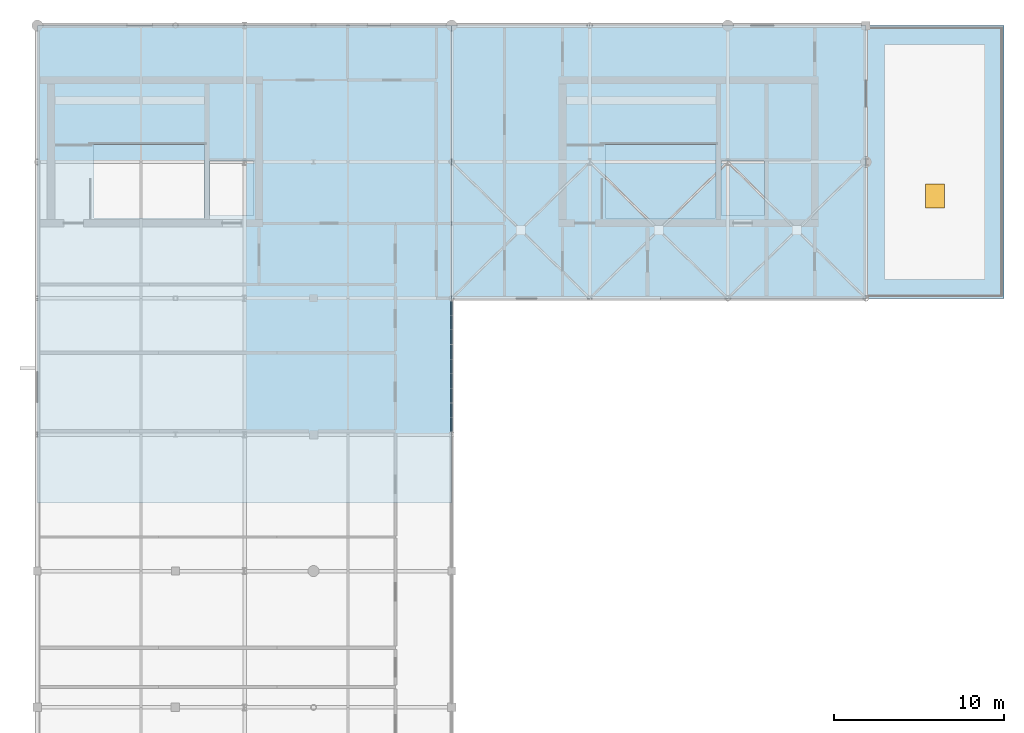
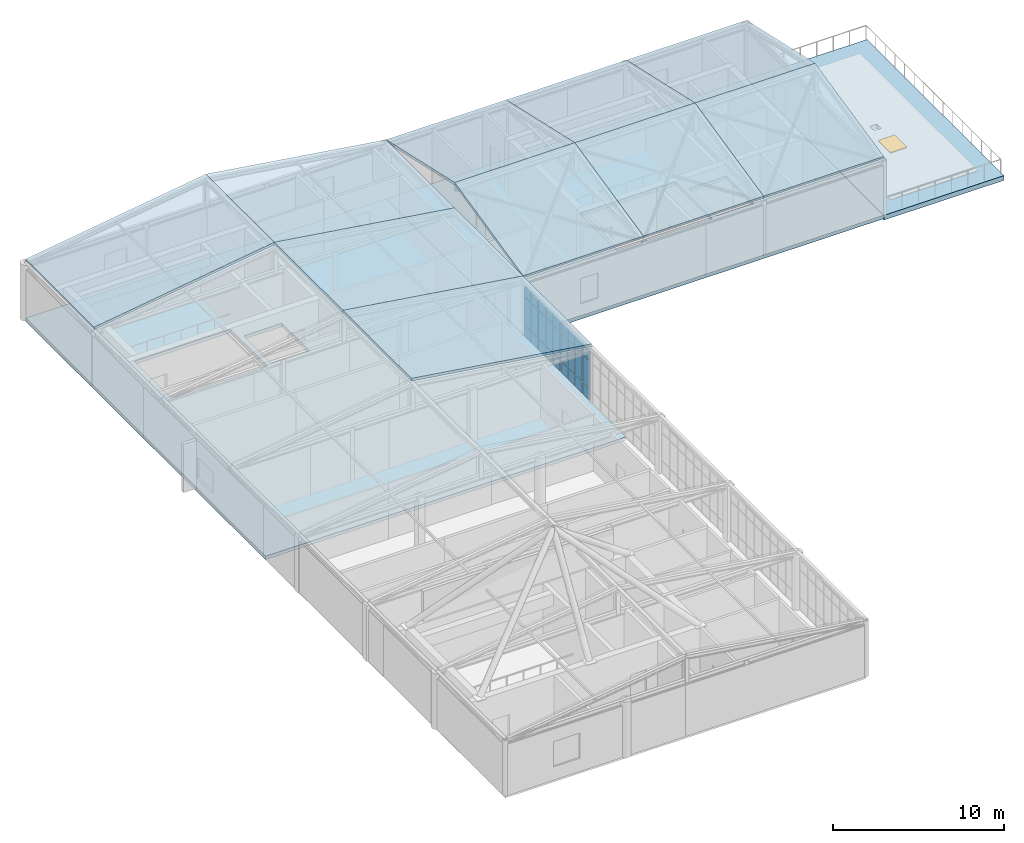
# One storey, part 13 of 21: 27 plates, 13 slabs, 1 door, 1 opening, 1 element without a shape of its own.
"""IFC4 building model written with IfcOpenShell, lengths in metres."""

from ifc_helpers import new_model, si_unit, direction, frame, origin, origin_2d, place, context, subcontext, project, spatial, polyline, rectangle, outline, extrude, material, layer, layer_set, type_object, element, fill, aggregate, save


model = new_model("IFC4")

# Units and contexts
model_context = context("Model", 3, precision=1e-05, world=origin(), true_north=direction((0.0, 1.0)))
body_context = subcontext(model_context, "Body", "Model", "MODEL_VIEW")
ifc_project = project(units=[si_unit("LENGTHUNIT", "METRE"), si_unit("AREAUNIT", "SQUARE_METRE"), si_unit("VOLUMEUNIT", "CUBIC_METRE"), si_unit("PLANEANGLEUNIT", "RADIAN"), si_unit("MASSUNIT", "GRAM", prefix="KILO")], contexts=[model_context])

# Site, building, storey
site_placement = place(None, origin())
site = spatial("IfcSite", under=ifc_project, at=site_placement, CompositionType="ELEMENT")
building_placement = place(site_placement, origin())
building = spatial("IfcBuilding", under=site, at=building_placement, Name="Tarnveldt Square Police Headquarters", CompositionType="ELEMENT")
storey_placement = place(building_placement, frame((0.0, 0.0, 33.300048828125)))
storey = spatial("IfcBuildingStorey", under=building, at=storey_placement, Name="L07", CompositionType="ELEMENT", Elevation=33.300048828125)

# Curtain wall, plates
ifc_material_1 = material(Name="Triple-glazed low-e laminated vision glass", Category="glass")
curtain_wall_type = type_object("IfcCurtainWallType", Name="CW-UP-771x366", PredefinedType="USERDEFINED", material=ifc_material_1)
curtain_wall_placement = place(storey_placement, origin())
curtain_wall = element("IfcCurtainWall", 1, at=curtain_wall_placement, inside=storey, type_object=curtain_wall_type, Name="L07 Curtain Wall CW-L07-098", ObjectType="GLAZED CURTAIN WALL", PredefinedType="USERDEFINED")
ifc_material_2 = material(Name="Insulated anodised aluminium spandrel panel", Category="aluminium")
ifc_layer_1 = layer(ifc_material_2, 0.090087890625)
ifc_layer_set_1 = layer_set([ifc_layer_1], Name="Insulated anodised aluminium spandrel panel")
plate_type = type_object("IfcPlateType", Name="CWP-SPN-90", PredefinedType="CURTAIN_PANEL", material=ifc_layer_set_1)
plate_1_placement = place(storey_placement, frame((40.5, 88.58984375, 0.06494140625), z_axis=(0.0, 0.0, 1.0), x_axis=(0.0, 1.0, 0.0)))
plate_1 = element("IfcPlate", 2, at=plate_1_placement, type_object=plate_type, Name="CW-UP55 panel 1.1", PredefinedType="CURTAIN_PANEL", context=body_context, shape_type="SweptSolid", body=[
    extrude(rectangle(XDim=0.759521484375, YDim=0.090087890625, at=origin_2d()), origin(), (0.0, 0.0, 1.0), 0.802490234375),
])
plate_2_placement = place(storey_placement, frame((40.5, 88.58984375, 0.932373046875), z_axis=(0.0, 0.0, 1.0), x_axis=(0.0, 1.0, 0.0)))
plate_2 = element("IfcPlate", 3, at=plate_2_placement, type_object=plate_type, Name="CW-UP55 panel 1.2", PredefinedType="CURTAIN_PANEL", context=body_context, shape_type="SweptSolid", body=[
    extrude(rectangle(XDim=0.759521484375, YDim=0.090087890625, at=origin_2d()), origin(), (0.0, 0.0, 1.0), 1.93994140625),
])
plate_3_placement = place(storey_placement, frame((40.5, 88.58984375, 2.9375), z_axis=(0.0, 0.0, 1.0), x_axis=(0.0, 1.0, 0.0)))
plate_3 = element("IfcPlate", 4, at=plate_3_placement, type_object=plate_type, Name="CW-UP55 panel 1.3", PredefinedType="CURTAIN_PANEL", context=body_context, shape_type="SweptSolid", body=[
    extrude(rectangle(XDim=0.759521484375, YDim=0.090087890625, at=origin_2d()), origin(), (0.0, 0.0, 1.0), 0.652587890625),
])
plate_4_placement = place(storey_placement, frame((40.5, 89.430419921875, 0.06494140625), z_axis=(0.0, 0.0, 1.0), x_axis=(0.0, 1.0, 0.0)))
plate_4 = element("IfcPlate", 5, at=plate_4_placement, type_object=plate_type, Name="CW-UP55 panel 2.1", PredefinedType="CURTAIN_PANEL", context=body_context, shape_type="SweptSolid", body=[
    extrude(rectangle(XDim=0.7919921875, YDim=0.090087890625, at=origin_2d()), origin(), (0.0, 0.0, 1.0), 0.802490234375),
])
plate_5_placement = place(storey_placement, frame((40.5, 89.430419921875, 0.932373046875), z_axis=(0.0, 0.0, 1.0), x_axis=(0.0, 1.0, 0.0)))
plate_5 = element("IfcPlate", 6, at=plate_5_placement, type_object=plate_type, Name="CW-UP55 panel 2.2", PredefinedType="CURTAIN_PANEL", context=body_context, shape_type="SweptSolid", body=[
    extrude(rectangle(XDim=0.7919921875, YDim=0.090087890625, at=origin_2d()), origin(), (0.0, 0.0, 1.0), 1.93994140625),
])
plate_6_placement = place(storey_placement, frame((40.5, 89.430419921875, 2.9375), z_axis=(0.0, 0.0, 1.0), x_axis=(0.0, 1.0, 0.0)))
plate_6 = element("IfcPlate", 7, at=plate_6_placement, type_object=plate_type, Name="CW-UP55 panel 2.3", PredefinedType="CURTAIN_PANEL", context=body_context, shape_type="SweptSolid", body=[
    extrude(rectangle(XDim=0.7919921875, YDim=0.090087890625, at=origin_2d()), origin(), (0.0, 0.0, 1.0), 0.652587890625),
])
plate_7_placement = place(storey_placement, frame((40.5, 90.28759765625, 0.06494140625), z_axis=(0.0, 0.0, 1.0), x_axis=(0.0, 1.0, 0.0)))
plate_7 = element("IfcPlate", 8, at=plate_7_placement, type_object=plate_type, Name="CW-UP55 panel 3.1", PredefinedType="CURTAIN_PANEL", context=body_context, shape_type="SweptSolid", body=[
    extrude(rectangle(XDim=0.7919921875, YDim=0.090087890625, at=origin_2d()), origin(), (0.0, 0.0, 1.0), 0.802490234375),
])
plate_8_placement = place(storey_placement, frame((40.5, 90.28759765625, 0.932373046875), z_axis=(0.0, 0.0, 1.0), x_axis=(0.0, 1.0, 0.0)))
plate_8 = element("IfcPlate", 9, at=plate_8_placement, type_object=plate_type, Name="CW-UP55 panel 3.2", PredefinedType="CURTAIN_PANEL", context=body_context, shape_type="SweptSolid", body=[
    extrude(rectangle(XDim=0.7919921875, YDim=0.090087890625, at=origin_2d()), origin(), (0.0, 0.0, 1.0), 1.93994140625),
])
plate_9_placement = place(storey_placement, frame((40.5, 90.28759765625, 2.9375), z_axis=(0.0, 0.0, 1.0), x_axis=(0.0, 1.0, 0.0)))
plate_9 = element("IfcPlate", 10, at=plate_9_placement, type_object=plate_type, Name="CW-UP55 panel 3.3", PredefinedType="CURTAIN_PANEL", context=body_context, shape_type="SweptSolid", body=[
    extrude(rectangle(XDim=0.7919921875, YDim=0.090087890625, at=origin_2d()), origin(), (0.0, 0.0, 1.0), 0.652587890625),
])
plate_10_placement = place(storey_placement, frame((40.5, 91.14453125, 0.06494140625), z_axis=(0.0, 0.0, 1.0), x_axis=(0.0, 1.0, 0.0)))
plate_10 = element("IfcPlate", 11, at=plate_10_placement, type_object=plate_type, Name="CW-UP55 panel 4.1", PredefinedType="CURTAIN_PANEL", context=body_context, shape_type="SweptSolid", body=[
    extrude(rectangle(XDim=0.7919921875, YDim=0.090087890625, at=origin_2d()), origin(), (0.0, 0.0, 1.0), 0.802490234375),
])
plate_11_placement = place(storey_placement, frame((40.5, 91.14453125, 0.932373046875), z_axis=(0.0, 0.0, 1.0), x_axis=(0.0, 1.0, 0.0)))
plate_11 = element("IfcPlate", 12, at=plate_11_placement, type_object=plate_type, Name="CW-UP55 panel 4.2", PredefinedType="CURTAIN_PANEL", context=body_context, shape_type="SweptSolid", body=[
    extrude(rectangle(XDim=0.7919921875, YDim=0.090087890625, at=origin_2d()), origin(), (0.0, 0.0, 1.0), 1.93994140625),
])
plate_12_placement = place(storey_placement, frame((40.5, 91.14453125, 2.9375), z_axis=(0.0, 0.0, 1.0), x_axis=(0.0, 1.0, 0.0)))
plate_12 = element("IfcPlate", 13, at=plate_12_placement, type_object=plate_type, Name="CW-UP55 panel 4.3", PredefinedType="CURTAIN_PANEL", context=body_context, shape_type="SweptSolid", body=[
    extrude(rectangle(XDim=0.7919921875, YDim=0.090087890625, at=origin_2d()), origin(), (0.0, 0.0, 1.0), 0.652587890625),
])
plate_13_placement = place(storey_placement, frame((40.5, 92.00146484375, 0.06494140625), z_axis=(0.0, 0.0, 1.0), x_axis=(0.0, 1.0, 0.0)))
plate_13 = element("IfcPlate", 14, at=plate_13_placement, type_object=plate_type, Name="CW-UP55 panel 5.1", PredefinedType="CURTAIN_PANEL", context=body_context, shape_type="SweptSolid", body=[
    extrude(rectangle(XDim=0.7919921875, YDim=0.090087890625, at=origin_2d()), origin(), (0.0, 0.0, 1.0), 0.802490234375),
])
plate_14_placement = place(storey_placement, frame((40.5, 92.00146484375, 0.932373046875), z_axis=(0.0, 0.0, 1.0), x_axis=(0.0, 1.0, 0.0)))
plate_14 = element("IfcPlate", 15, at=plate_14_placement, type_object=plate_type, Name="CW-UP55 panel 5.2", PredefinedType="CURTAIN_PANEL", context=body_context, shape_type="SweptSolid", body=[
    extrude(rectangle(XDim=0.7919921875, YDim=0.090087890625, at=origin_2d()), origin(), (0.0, 0.0, 1.0), 1.93994140625),
])
plate_15_placement = place(storey_placement, frame((40.5, 92.00146484375, 2.9375), z_axis=(0.0, 0.0, 1.0), x_axis=(0.0, 1.0, 0.0)))
plate_15 = element("IfcPlate", 16, at=plate_15_placement, type_object=plate_type, Name="CW-UP55 panel 5.3", PredefinedType="CURTAIN_PANEL", context=body_context, shape_type="SweptSolid", body=[
    extrude(rectangle(XDim=0.7919921875, YDim=0.090087890625, at=origin_2d()), origin(), (0.0, 0.0, 1.0), 0.652587890625),
])
plate_16_placement = place(storey_placement, frame((40.5, 92.8583984375, 0.06494140625), z_axis=(0.0, 0.0, 1.0), x_axis=(0.0, 1.0, 0.0)))
plate_16 = element("IfcPlate", 17, at=plate_16_placement, type_object=plate_type, Name="CW-UP55 panel 6.1", PredefinedType="CURTAIN_PANEL", context=body_context, shape_type="SweptSolid", body=[
    extrude(rectangle(XDim=0.7919921875, YDim=0.090087890625, at=origin_2d()), origin(), (0.0, 0.0, 1.0), 0.802490234375),
])
plate_17_placement = place(storey_placement, frame((40.5, 92.8583984375, 0.932373046875), z_axis=(0.0, 0.0, 1.0), x_axis=(0.0, 1.0, 0.0)))
plate_17 = element("IfcPlate", 18, at=plate_17_placement, type_object=plate_type, Name="CW-UP55 panel 6.2", PredefinedType="CURTAIN_PANEL", context=body_context, shape_type="SweptSolid", body=[
    extrude(rectangle(XDim=0.7919921875, YDim=0.090087890625, at=origin_2d()), origin(), (0.0, 0.0, 1.0), 1.93994140625),
])
plate_18_placement = place(storey_placement, frame((40.5, 92.8583984375, 2.9375), z_axis=(0.0, 0.0, 1.0), x_axis=(0.0, 1.0, 0.0)))
plate_18 = element("IfcPlate", 19, at=plate_18_placement, type_object=plate_type, Name="CW-UP55 panel 6.3", PredefinedType="CURTAIN_PANEL", context=body_context, shape_type="SweptSolid", body=[
    extrude(rectangle(XDim=0.7919921875, YDim=0.090087890625, at=origin_2d()), origin(), (0.0, 0.0, 1.0), 0.652587890625),
])
plate_19_placement = place(storey_placement, frame((40.5, 93.715576171875, 0.06494140625), z_axis=(0.0, 0.0, 1.0), x_axis=(0.0, 1.0, 0.0)))
plate_19 = element("IfcPlate", 20, at=plate_19_placement, type_object=plate_type, Name="CW-UP55 panel 7.1", PredefinedType="CURTAIN_PANEL", context=body_context, shape_type="SweptSolid", body=[
    extrude(rectangle(XDim=0.7919921875, YDim=0.090087890625, at=origin_2d()), origin(), (0.0, 0.0, 1.0), 0.802490234375),
])
plate_20_placement = place(storey_placement, frame((40.5, 93.715576171875, 0.932373046875), z_axis=(0.0, 0.0, 1.0), x_axis=(0.0, 1.0, 0.0)))
plate_20 = element("IfcPlate", 21, at=plate_20_placement, type_object=plate_type, Name="CW-UP55 panel 7.2", PredefinedType="CURTAIN_PANEL", context=body_context, shape_type="SweptSolid", body=[
    extrude(rectangle(XDim=0.7919921875, YDim=0.090087890625, at=origin_2d()), origin(), (0.0, 0.0, 1.0), 1.93994140625),
])
plate_21_placement = place(storey_placement, frame((40.5, 93.715576171875, 2.9375), z_axis=(0.0, 0.0, 1.0), x_axis=(0.0, 1.0, 0.0)))
plate_21 = element("IfcPlate", 22, at=plate_21_placement, type_object=plate_type, Name="CW-UP55 panel 7.3", PredefinedType="CURTAIN_PANEL", context=body_context, shape_type="SweptSolid", body=[
    extrude(rectangle(XDim=0.7919921875, YDim=0.090087890625, at=origin_2d()), origin(), (0.0, 0.0, 1.0), 0.652587890625),
])
plate_22_placement = place(storey_placement, frame((40.5, 94.572509765625, 0.06494140625), z_axis=(0.0, 0.0, 1.0), x_axis=(0.0, 1.0, 0.0)))
plate_22 = element("IfcPlate", 23, at=plate_22_placement, type_object=plate_type, Name="CW-UP55 panel 8.1", PredefinedType="CURTAIN_PANEL", context=body_context, shape_type="SweptSolid", body=[
    extrude(rectangle(XDim=0.7919921875, YDim=0.090087890625, at=origin_2d()), origin(), (0.0, 0.0, 1.0), 0.802490234375),
])
plate_23_placement = place(storey_placement, frame((40.5, 94.572509765625, 0.932373046875), z_axis=(0.0, 0.0, 1.0), x_axis=(0.0, 1.0, 0.0)))
plate_23 = element("IfcPlate", 24, at=plate_23_placement, type_object=plate_type, Name="CW-UP55 panel 8.2", PredefinedType="CURTAIN_PANEL", context=body_context, shape_type="SweptSolid", body=[
    extrude(rectangle(XDim=0.7919921875, YDim=0.090087890625, at=origin_2d()), origin(), (0.0, 0.0, 1.0), 1.93994140625),
])
plate_24_placement = place(storey_placement, frame((40.5, 94.572509765625, 2.9375), z_axis=(0.0, 0.0, 1.0), x_axis=(0.0, 1.0, 0.0)))
plate_24 = element("IfcPlate", 25, at=plate_24_placement, type_object=plate_type, Name="CW-UP55 panel 8.3", PredefinedType="CURTAIN_PANEL", context=body_context, shape_type="SweptSolid", body=[
    extrude(rectangle(XDim=0.7919921875, YDim=0.090087890625, at=origin_2d()), origin(), (0.0, 0.0, 1.0), 0.652587890625),
])
plate_25_placement = place(storey_placement, frame((40.5, 95.413330078125, 0.06494140625), z_axis=(0.0, 0.0, 1.0), x_axis=(0.0, 1.0, 0.0)))
plate_25 = element("IfcPlate", 26, at=plate_25_placement, type_object=plate_type, Name="CW-UP55 panel 9.1", PredefinedType="CURTAIN_PANEL", context=body_context, shape_type="SweptSolid", body=[
    extrude(rectangle(XDim=0.759521484375, YDim=0.090087890625, at=origin_2d()), origin(), (0.0, 0.0, 1.0), 0.802490234375),
])
plate_26_placement = place(storey_placement, frame((40.5, 95.413330078125, 0.932373046875), z_axis=(0.0, 0.0, 1.0), x_axis=(0.0, 1.0, 0.0)))
plate_26 = element("IfcPlate", 27, at=plate_26_placement, type_object=plate_type, Name="CW-UP55 panel 9.2", PredefinedType="CURTAIN_PANEL", context=body_context, shape_type="SweptSolid", body=[
    extrude(rectangle(XDim=0.759521484375, YDim=0.090087890625, at=origin_2d()), origin(), (0.0, 0.0, 1.0), 1.93994140625),
])
plate_27_placement = place(storey_placement, frame((40.5, 95.413330078125, 2.9375), z_axis=(0.0, 0.0, 1.0), x_axis=(0.0, 1.0, 0.0)))
plate_27 = element("IfcPlate", 28, at=plate_27_placement, type_object=plate_type, Name="CW-UP55 panel 9.3", PredefinedType="CURTAIN_PANEL", context=body_context, shape_type="SweptSolid", body=[
    extrude(rectangle(XDim=0.759521484375, YDim=0.090087890625, at=origin_2d()), origin(), (0.0, 0.0, 1.0), 0.652587890625),
])
aggregate(curtain_wall, [plate_1, plate_2, plate_3, plate_4, plate_5, plate_6, plate_7, plate_8, plate_9, plate_10, plate_11, plate_12, plate_13, plate_14, plate_15, plate_16, plate_17, plate_18, plate_19, plate_20, plate_21, plate_22, plate_23, plate_24, plate_25, plate_26, plate_27])

# Slabs
ifc_material_3 = material(Name="Precast concrete 35 MPa", Category="concrete")
ifc_layer_2 = layer(ifc_material_3, 0.18994140625)
ifc_layer_set_2 = layer_set([ifc_layer_2], Name="Precast concrete 35 MPa")
slab_type_1 = type_object("IfcSlabType", Name="SL-PITCH-190", PredefinedType="ROOF", material=ifc_layer_set_2)
for number, where, z_axis, x_axis, name in (
    (29, (28.35009765625, 88.0, 6.0), (0.146553703729, 0.0, 0.989202715283), (0.0, 1.0, 0.0), "Operations Wing Snow-Shedding Roof East 5"),
    (30, (28.35009765625, 96.0, 6.0), (0.146553703729, 0.0, 0.989202715283), (0.0, 1.0, 0.0), "Operations Wing Snow-Shedding Roof East 6"),
):
    element("IfcSlab", number, at=place(storey_placement, frame(where, z_axis=z_axis, x_axis=x_axis)), inside=storey, type_object=slab_type_1, Name=name, PredefinedType="ROOF", context=body_context, shape_type="SweptSolid", body=[
        extrude(outline(polyline([(0.0, 0.0), (8.0, 0.0), (8.0, -12.282520211515873), (0.0, -12.282520211515873), (0.0, 0.0)])), origin(), (0.0, 0.0, -1.0), 0.18994140625),
    ])
slab_1_placement = place(storey_placement, frame((16.199951171875, 104.0, 4.199951171875), z_axis=(-0.146550822179, 0.0, 0.98920314219), x_axis=(0.0, 1.0, 0.0)))
element("IfcSlab", 31, at=slab_1_placement, inside=storey, type_object=slab_type_1, Name="Operations Wing Snow-Shedding Roof West 7", PredefinedType="ROOF", context=body_context, shape_type="SweptSolid", body=[
    extrude(outline(polyline([(0.0, 0.0), (8.0, 0.0), (8.0, -12.282761716137147), (0.0, -12.282761716137147), (0.0, 0.0)])), origin(), (0.0, 0.0, -1.0), 0.18994140625),
])
slab_2_placement = place(storey_placement, frame((28.35009765625, 104.0, 6.0), z_axis=(0.146553703729, 0.0, 0.989202715283), x_axis=(0.0, 1.0, 0.0)))
element("IfcSlab", 32, at=slab_2_placement, inside=storey, type_object=slab_type_1, Name="Operations Wing Snow-Shedding Roof East 7", PredefinedType="ROOF", context=body_context, shape_type="SweptSolid", body=[
    extrude(outline(polyline([(0.0, 0.0), (8.0, 0.0), (8.0, -12.282520211515873), (0.0, -12.282520211515873), (0.0, 0.0)])), origin(), (0.0, 0.0, -1.0), 0.18994140625),
])
for number, where, z_axis, x_axis, name in (
    (33, (40.5, 96.0, 4.199951171875), (0.0, -0.219517862832, 0.975608480846), (1.0, 0.0, 0.0), "Operations North Return Pitched Roof South 1"),
    (34, (40.5, 104.0, 6.0), (0.0, 0.219517862832, 0.975608480846), (1.0, 0.0, 0.0), "Operations North Return Pitched Roof North 1"),
):
    element("IfcSlab", number, at=place(storey_placement, frame(where, z_axis=z_axis, x_axis=x_axis)), inside=storey, type_object=slab_type_1, Name=name, PredefinedType="ROOF", context=body_context, shape_type="SweptSolid", body=[
        extrude(outline(polyline([(0.0, 0.0), (8.10009765625, 0.0), (8.10009765625, 8.200010718507274), (0.0, 8.200010718507274), (0.0, 0.0)])), origin(), (0.0, 0.0, -1.0), 0.18994140625),
    ])
for number, where, z_axis, x_axis, name in (
    (35, (48.60009765625, 96.0, 4.199951171875), (0.0, -0.219517862832, 0.975608480846), (1.0, 0.0, 0.0), "Operations North Return Pitched Roof South 2"),
    (36, (48.60009765625, 104.0, 6.0), (0.0, 0.219517862832, 0.975608480846), (1.0, 0.0, 0.0), "Operations North Return Pitched Roof North 2"),
):
    element("IfcSlab", number, at=place(storey_placement, frame(where, z_axis=z_axis, x_axis=x_axis)), inside=storey, type_object=slab_type_1, Name=name, PredefinedType="ROOF", context=body_context, shape_type="SweptSolid", body=[
        extrude(outline(polyline([(0.0, 0.0), (8.099853515625, 0.0), (8.099853515625, 8.200010718507276), (0.0, 8.200010718507276), (0.0, 0.0)])), origin(), (0.0, 0.0, -1.0), 0.18994140625),
    ])
for number, where, z_axis, x_axis, name in (
    (37, (56.699951171875, 96.0, 4.199951171875), (0.0, -0.219517862832, 0.975608480846), (1.0, 0.0, 0.0), "Operations North Return Pitched Roof South 3"),
    (38, (56.699951171875, 104.0, 6.0), (0.0, 0.219517862832, 0.975608480846), (1.0, 0.0, 0.0), "Operations North Return Pitched Roof North 3"),
):
    element("IfcSlab", number, at=place(storey_placement, frame(where, z_axis=z_axis, x_axis=x_axis)), inside=storey, type_object=slab_type_1, Name=name, PredefinedType="ROOF", context=body_context, shape_type="SweptSolid", body=[
        extrude(outline(polyline([(0.0, 0.0), (8.10009765625, 0.0), (8.10009765625, 8.200010718507274), (0.0, 8.200010718507274), (0.0, 0.0)])), origin(), (0.0, 0.0, -1.0), 0.18994140625),
    ])

# Slab, opening, door
ifc_material_4 = material(Name="Concrete 40 MPa", Category="concrete")
ifc_layer_3 = layer(ifc_material_4, 0.340087890625)
ifc_layer_set_3 = layer_set([ifc_layer_3], Name="Concrete 40 MPa")
slab_type_2 = type_object("IfcSlabType", Name="SL-TER-340", PredefinedType="ROOF", material=ifc_layer_set_3)
slab_3_placement = place(storey_placement, frame((0.0, 0.0, -0.340087890625)))
slab_3 = element("IfcSlab", 39, at=slab_3_placement, inside=storey, type_object=slab_type_2, Name="Executive North Overlook Terrace", PredefinedType="ROOF", context=body_context, shape_type="SweptSolid", body=[
    extrude(outline(polyline([(72.89990234375, 96.0), (64.800048828125, 96.0), (64.800048828125, 112.0), (72.89990234375, 112.0), (72.89990234375, 96.0)]), holes=[polyline([(69.10009765625, 104.25), (68.60009765625, 104.25), (68.60009765625, 103.75), (69.10009765625, 103.75), (69.10009765625, 104.25)])]), origin(), (0.0, 0.0, 1.0), 0.340087890625),
])
opening_placement = place(slab_3_placement, frame((68.85009765625, 102.0, 0.0)))
opening = element("IfcOpeningElement", 40, at=opening_placement, cuts=slab_3, Name="Opening RH2", PredefinedType="OPENING", context=body_context, shape_type="SweptSolid", body=[
    extrude(rectangle(XDim=1.10009765625, YDim=1.39990234375, at=origin_2d()), frame((0.0, 0.0, -0.010009765625)), (0.0, 0.0, 1.0), 0.420166015625),
])
ifc_material_5 = material(Name="Steel 350W", Category="steel")
door_type = type_object("IfcDoorType", Name="HT-ROOF-110x140", OperationType="SINGLE_SWING_LEFT", PredefinedType="TRAPDOOR", material=ifc_material_5)
door_placement = place(opening_placement, frame((0.0, 0.0, 0.340087890625)))
door = element("IfcDoor", 41, at=door_placement, inside=storey, type_object=door_type, Name="Roof Maintenance Access Hatch HT-TER-4", OperationType="SINGLE_SWING_LEFT", OverallHeight=1.39990234375, OverallWidth=1.10009765625, PredefinedType="TRAPDOOR", context=body_context, shape_type="SweptSolid", body=[
    extrude(rectangle(XDim=1.10009765625, YDim=1.39990234375, at=origin_2d()), origin(), (0.0, 0.0, 1.0), 0.050048828125),
])
fill(opening, door)

# Slabs
ifc_layer_4 = layer(ifc_material_4, 0.239990234375)
ifc_layer_set_4 = layer_set([ifc_layer_4], Name="Concrete 40 MPa")
slab_type_3 = type_object("IfcSlabType", Name="SL-UPP-240", PredefinedType="FLOOR", material=ifc_layer_set_4)
slab_4_placement = place(storey_placement, frame((0.0, 0.0, -0.239990234375)))
element("IfcSlab", 42, at=slab_4_placement, inside=storey, type_object=slab_type_3, Name="L07 Structural Floor Slab L07-V5-2", PredefinedType="FLOOR", context=body_context, shape_type="SweptSolid", body=[
    extrude(outline(polyline([(40.5, 112.0), (40.5, 84.0), (16.199951171875, 84.0), (16.199951171875, 112.0), (40.5, 112.0)]), holes=[polyline([(26.330078125, 100.85009765625), (28.8798828125, 100.85009765625), (28.8798828125, 104.050048828125), (26.330078125, 104.050048828125), (26.330078125, 100.85009765625)]), polyline([(19.510009765625, 100.719970703125), (25.969970703125, 100.719970703125), (25.969970703125, 105.02001953125), (19.510009765625, 105.02001953125), (19.510009765625, 100.719970703125)])]), origin(), (0.0, 0.0, 1.0), 0.239990234375),
])
slab_5_placement = place(storey_placement, frame((0.0, 0.0, -0.239990234375)))
element("IfcSlab", 43, at=slab_5_placement, inside=storey, type_object=slab_type_3, Name="L07 Structural Floor Slab L07-V5N-1", PredefinedType="FLOOR", context=body_context, shape_type="SweptSolid", body=[
    extrude(outline(polyline([(40.5, 96.0), (40.5, 112.0), (64.800048828125, 112.0), (64.800048828125, 96.0), (40.5, 96.0)]), holes=[polyline([(56.330078125, 100.85009765625), (58.8349609375, 100.85009765625), (58.8349609375, 104.050048828125), (56.330078125, 104.050048828125), (56.330078125, 100.85009765625)]), polyline([(49.510009765625, 100.719970703125), (55.969970703125, 100.719970703125), (55.969970703125, 105.02001953125), (49.510009765625, 105.02001953125), (49.510009765625, 100.719970703125)])]), origin(), (0.0, 0.0, 1.0), 0.239990234375),
])

save(model, "model.ifc")
